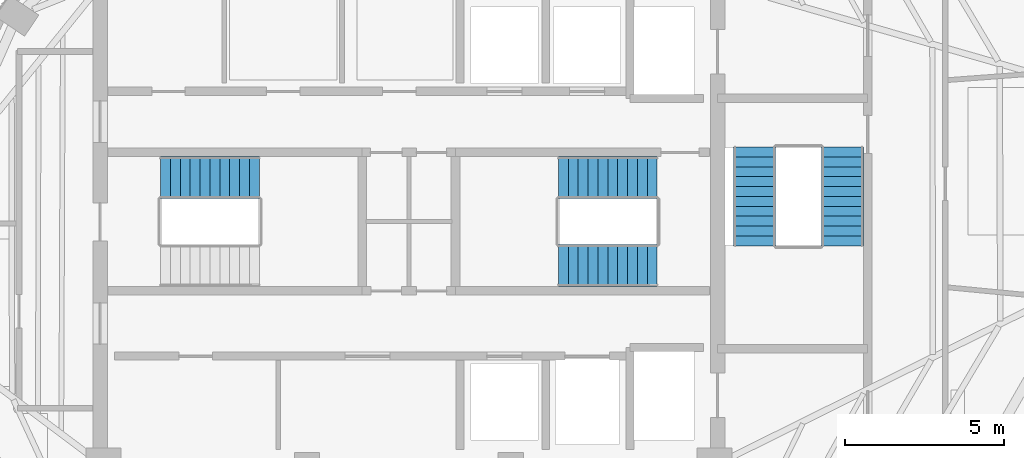
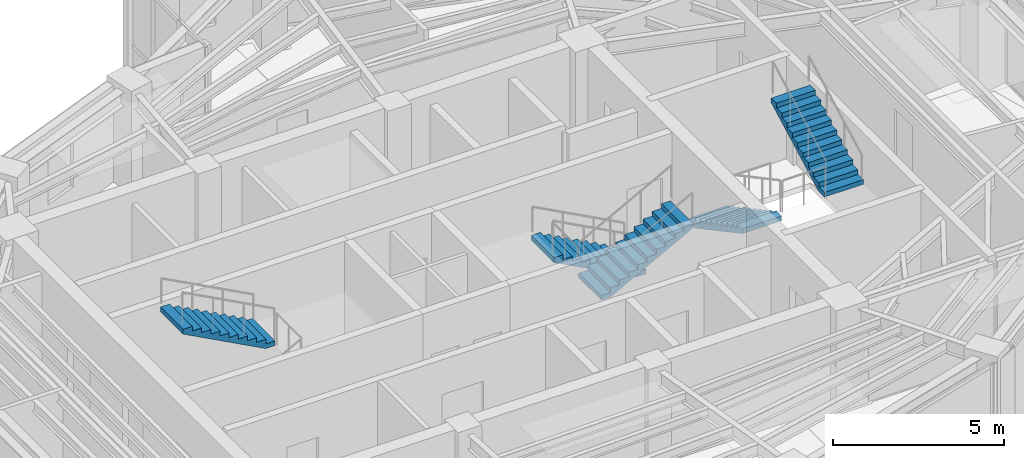
# One storey, part 13 of 15: 5 stair flights, 3 elements without a shape of their own.
"""IFC4 building model written with IfcOpenShell, lengths in metres."""

from ifc_helpers import new_model, si_unit, direction, frame, origin, place, context, subcontext, project, spatial, polyline, outline, extrude, material, type_object, element, aggregate, save


model = new_model("IFC4")

# Units and contexts
model_context = context("Model", 3, precision=1e-05, world=origin(), true_north=direction((0.0, 1.0)))
body_context = subcontext(model_context, "Body", "Model", "MODEL_VIEW")
ifc_project = project(units=[si_unit("LENGTHUNIT", "METRE"), si_unit("AREAUNIT", "SQUARE_METRE"), si_unit("VOLUMEUNIT", "CUBIC_METRE"), si_unit("PLANEANGLEUNIT", "RADIAN"), si_unit("MASSUNIT", "GRAM", prefix="KILO")], contexts=[model_context])

# Site, building, storey
site_placement = place(None, origin())
site = spatial("IfcSite", under=ifc_project, at=site_placement, CompositionType="ELEMENT")
building_placement = place(site_placement, origin())
building = spatial("IfcBuilding", under=site, at=building_placement, Name="Lazwardi Medical Tower", CompositionType="ELEMENT")
storey_placement = place(building_placement, frame((0.0, 0.0, 280.56005859375)))
storey = spatial("IfcBuildingStorey", under=building, at=storey_placement, Name="L73", CompositionType="ELEMENT", Elevation=280.56005859375)

# Stair, stair flight
ifc_material = material(Name="Concrete C45/55", Category="concrete")
stair_type = type_object("IfcStairType", Name="STR-WRD", PredefinedType="HALF_TURN_STAIR", material=ifc_material)
stair_1_placement = place(storey_placement, origin())
stair_1 = element("IfcStair", 1, at=stair_1_placement, inside=storey, type_object=stair_type, Name="L73 Protected Exit Stair ST1", PredefinedType="HALF_TURN_STAIR")
stair_flight_type = type_object("IfcStairFlightType", Name="FLT-WRD", PredefinedType="STRAIGHT", material=ifc_material)
stair_flight_1_placement = place(storey_placement, frame((31.300048828125, 29.43994140625, 1.823974609375), z_axis=(0.0, 0.0, 1.0), x_axis=(-1.0, 0.0, 0.0)))
stair_flight_1 = element("IfcStairFlight", 2, at=stair_flight_1_placement, type_object=stair_flight_type, Name="ST1 flight 2", NumberOfRisers=11, NumberOfTreads=10, PredefinedType="STRAIGHT", RiserHeight=0.165818182, TreadLength=0.31, context=body_context, shape_type="SweptSolid", body=[
    extrude(outline(polyline([(0.0, 0.0), (0.0, 0.165771484375), (0.31005859375, 0.165771484375), (0.31005859375, 0.33154296875), (0.6201171875, 0.33154296875), (0.6201171875, 0.49755859375), (0.929931640625, 0.49755859375), (0.929931640625, 0.663330078125), (1.239990234375, 0.663330078125), (1.239990234375, 0.8291015625), (1.550048828125, 0.8291015625), (1.550048828125, 0.994873046875), (1.860107421875, 0.994873046875), (1.860107421875, 1.16064453125), (2.169921875, 1.16064453125), (2.169921875, 1.32666015625), (2.47998046875, 1.32666015625), (2.47998046875, 1.492431640625), (2.7900390625, 1.492431640625), (2.7900390625, 1.658203125), (3.10009765625, 1.658203125), (3.10009765625, 1.823974609375), (3.10009765625, 1.48828125), (0.31787109375, 0.0), (0.0, 0.0)])), frame((0.0, 0.66015625, 0.0), z_axis=(0.0, -1.0, 0.0), x_axis=(1.0, 0.0, 0.0)), (0.0, 0.0, 1.0), 1.320068359375),
])
aggregate(stair_1, [stair_flight_1])

# Stair, stair flights
stair_2_placement = place(storey_placement, origin())
stair_2 = element("IfcStair", 3, at=stair_2_placement, inside=storey, type_object=stair_type, Name="L73 Protected Exit Stair ST2", PredefinedType="HALF_TURN_STAIR")
stair_flight_2_placement = place(storey_placement, frame((43.800048828125, 29.43994140625, 0.0), z_axis=(0.0, 0.0, 1.0), x_axis=(-1.0, 0.0, 0.0)))
stair_flight_2 = element("IfcStairFlight", 4, at=stair_flight_2_placement, type_object=stair_flight_type, Name="ST2 flight 1", NumberOfRisers=11, NumberOfTreads=10, PredefinedType="STRAIGHT", RiserHeight=0.165818182, TreadLength=0.31, context=body_context, shape_type="SweptSolid", body=[
    extrude(outline(polyline([(0.0, 0.0), (0.0, 0.165771484375), (0.31005859375, 0.165771484375), (0.31005859375, 0.33154296875), (0.6201171875, 0.33154296875), (0.6201171875, 0.49755859375), (0.929931640625, 0.49755859375), (0.929931640625, 0.663330078125), (1.239990234375, 0.663330078125), (1.239990234375, 0.8291015625), (1.550048828125, 0.8291015625), (1.550048828125, 0.994873046875), (1.860107421875, 0.994873046875), (1.860107421875, 1.16064453125), (2.169921875, 1.16064453125), (2.169921875, 1.32666015625), (2.47998046875, 1.32666015625), (2.47998046875, 1.492431640625), (2.7900390625, 1.492431640625), (2.7900390625, 1.658203125), (3.10009765625, 1.658203125), (3.10009765625, 1.823974609375), (3.10009765625, 1.48828125), (0.31787109375, 0.0), (0.0, 0.0)])), frame((0.0, 0.66015625, 0.0), z_axis=(0.0, -1.0, 0.0), x_axis=(1.0, 0.0, 0.0)), (0.0, 0.0, 1.0), 1.320068359375),
])
stair_flight_3_placement = place(storey_placement, frame((40.699951171875, 26.679931640625, 1.823974609375), z_axis=(0.0, 0.0, 1.0), x_axis=(1.0, 0.0, 0.0)))
stair_flight_3 = element("IfcStairFlight", 5, at=stair_flight_3_placement, type_object=stair_flight_type, Name="ST2 flight 2", NumberOfRisers=11, NumberOfTreads=10, PredefinedType="STRAIGHT", RiserHeight=0.165818182, TreadLength=0.31, context=body_context, shape_type="SweptSolid", body=[
    extrude(outline(polyline([(0.0, 0.0), (0.0, 0.165771484375), (0.31005859375, 0.165771484375), (0.31005859375, 0.33154296875), (0.6201171875, 0.33154296875), (0.6201171875, 0.49755859375), (0.929931640625, 0.49755859375), (0.929931640625, 0.663330078125), (1.239990234375, 0.663330078125), (1.239990234375, 0.8291015625), (1.550048828125, 0.8291015625), (1.550048828125, 0.994873046875), (1.860107421875, 0.994873046875), (1.860107421875, 1.16064453125), (2.169921875, 1.16064453125), (2.169921875, 1.32666015625), (2.47998046875, 1.32666015625), (2.47998046875, 1.492431640625), (2.7900390625, 1.492431640625), (2.7900390625, 1.658203125), (3.10009765625, 1.658203125), (3.10009765625, 1.823974609375), (3.10009765625, 1.48828125), (0.31787109375, 0.0), (0.0, 0.0)])), frame((0.0, 0.66015625, 0.0), z_axis=(0.0, -1.0, 0.0), x_axis=(1.0, 0.0, 0.0)), (0.0, 0.0, 1.0), 1.320068359375),
])
aggregate(stair_2, [stair_flight_2, stair_flight_3])

stair_3_placement = place(storey_placement, origin())
stair_3 = element("IfcStair", 6, at=stair_3_placement, inside=storey, type_object=stair_type, Name="L73 Protected Exit Stair ST3", PredefinedType="HALF_TURN_STAIR")
stair_flight_4_placement = place(storey_placement, frame((46.860107421875, 30.39990234375, 0.0), z_axis=(0.0, 0.0, 1.0), x_axis=(0.0, -1.0, 0.0)))
stair_flight_4 = element("IfcStairFlight", 7, at=stair_flight_4_placement, type_object=stair_flight_type, Name="ST3 flight 1", NumberOfRisers=11, NumberOfTreads=10, PredefinedType="STRAIGHT", RiserHeight=0.165818182, TreadLength=0.31, context=body_context, shape_type="SweptSolid", body=[
    extrude(outline(polyline([(0.0, 0.0), (0.0, 0.165771484375), (0.31005859375, 0.165771484375), (0.31005859375, 0.33154296875), (0.6201171875, 0.33154296875), (0.6201171875, 0.49755859375), (0.929931640625, 0.49755859375), (0.929931640625, 0.663330078125), (1.239990234375, 0.663330078125), (1.239990234375, 0.8291015625), (1.550048828125, 0.8291015625), (1.550048828125, 0.994873046875), (1.860107421875, 0.994873046875), (1.860107421875, 1.16064453125), (2.169921875, 1.16064453125), (2.169921875, 1.32666015625), (2.47998046875, 1.32666015625), (2.47998046875, 1.492431640625), (2.7900390625, 1.492431640625), (2.7900390625, 1.658203125), (3.10009765625, 1.658203125), (3.10009765625, 1.823974609375), (3.10009765625, 1.48828125), (0.31787109375, 0.0), (0.0, 0.0)])), frame((0.0, 0.66015625, 0.0), z_axis=(0.0, -1.0, 0.0), x_axis=(1.0, 0.0, 0.0)), (0.0, 0.0, 1.0), 1.320068359375),
])
stair_flight_5_placement = place(storey_placement, frame((49.6201171875, 27.300048828125, 1.823974609375), z_axis=(0.0, 0.0, 1.0), x_axis=(0.0, 1.0, 0.0)))
stair_flight_5 = element("IfcStairFlight", 8, at=stair_flight_5_placement, type_object=stair_flight_type, Name="ST3 flight 2", NumberOfRisers=11, NumberOfTreads=10, PredefinedType="STRAIGHT", RiserHeight=0.165818182, TreadLength=0.31, context=body_context, shape_type="SweptSolid", body=[
    extrude(outline(polyline([(0.0, 0.0), (0.0, 0.165771484375), (0.31005859375, 0.165771484375), (0.31005859375, 0.33154296875), (0.6201171875, 0.33154296875), (0.6201171875, 0.49755859375), (0.929931640625, 0.49755859375), (0.929931640625, 0.663330078125), (1.239990234375, 0.663330078125), (1.239990234375, 0.8291015625), (1.550048828125, 0.8291015625), (1.550048828125, 0.994873046875), (1.860107421875, 0.994873046875), (1.860107421875, 1.16064453125), (2.169921875, 1.16064453125), (2.169921875, 1.32666015625), (2.47998046875, 1.32666015625), (2.47998046875, 1.492431640625), (2.7900390625, 1.492431640625), (2.7900390625, 1.658203125), (3.10009765625, 1.658203125), (3.10009765625, 1.823974609375), (3.10009765625, 1.48828125), (0.31787109375, 0.0), (0.0, 0.0)])), frame((0.0, 0.66015625, 0.0), z_axis=(0.0, -1.0, 0.0), x_axis=(1.0, 0.0, 0.0)), (0.0, 0.0, 1.0), 1.320068359375),
])
aggregate(stair_3, [stair_flight_4, stair_flight_5])

save(model, "model.ifc")
